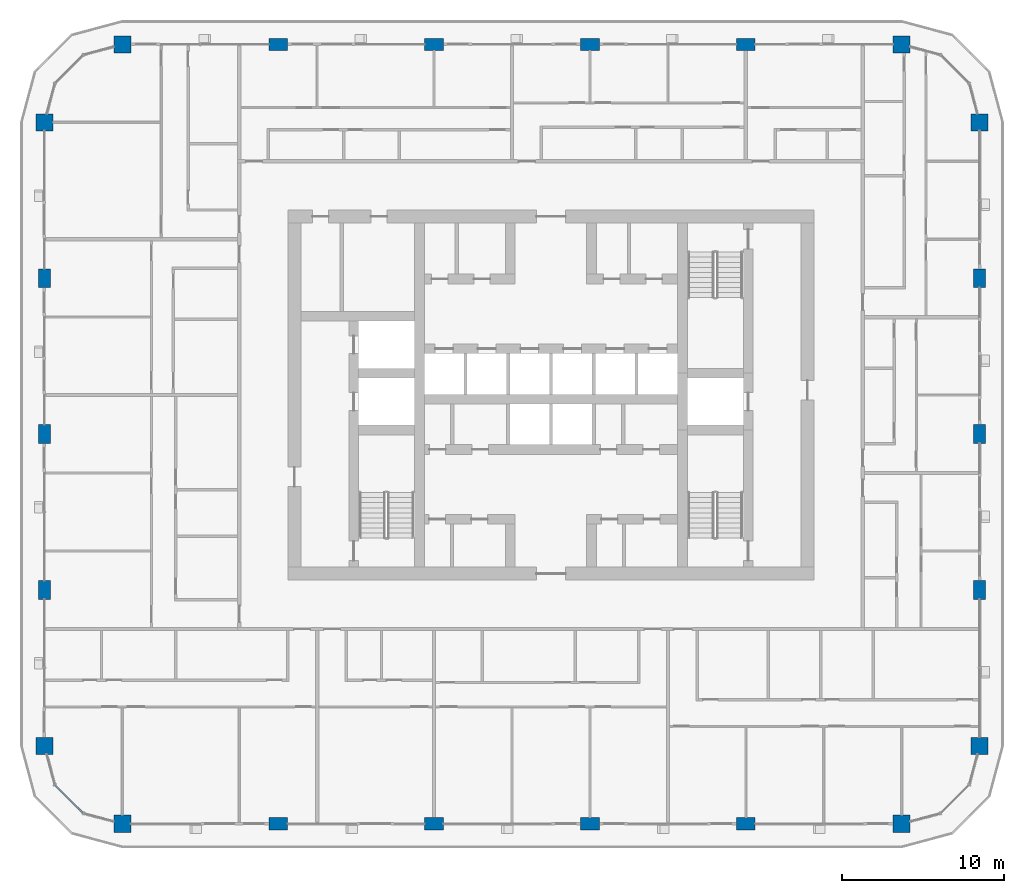
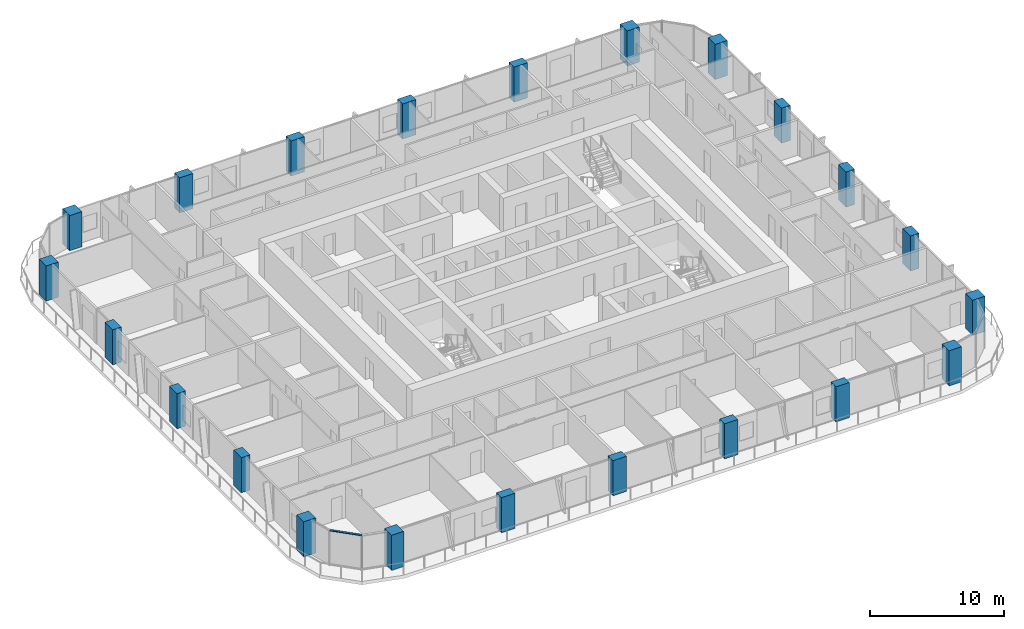
# One storey, part 1 of 22: 22 columns, 1 member, 1 element without a shape of its own.
"""IFC4 building model written with IfcOpenShell, lengths in metres."""

from ifc_helpers import new_model, si_unit, direction, frame, origin, origin_2d, place, context, subcontext, project, spatial, rectangle, extrude, material, layer, layer_set, material_profile, profile_set, type_object, element, aggregate, save


model = new_model("IFC4")

# Units and contexts
model_context = context("Model", 3, precision=1e-05, world=origin(), true_north=direction((0.0, 1.0)))
body_context = subcontext(model_context, "Body", "Model", "MODEL_VIEW")
ifc_project = project(units=[si_unit("LENGTHUNIT", "METRE"), si_unit("AREAUNIT", "SQUARE_METRE"), si_unit("VOLUMEUNIT", "CUBIC_METRE"), si_unit("PLANEANGLEUNIT", "RADIAN"), si_unit("MASSUNIT", "GRAM", prefix="KILO")], contexts=[model_context])

# Site, building, storey
site_placement = place(None, origin())
site = spatial("IfcSite", under=ifc_project, at=site_placement, CompositionType="ELEMENT")
building_placement = place(site_placement, origin())
building = spatial("IfcBuilding", under=site, at=building_placement, Name="Madar Terraces", CompositionType="ELEMENT")
storey_placement = place(building_placement, frame((0.0, 0.0, 166.5)))
storey = spatial("IfcBuildingStorey", under=building, at=storey_placement, Name="L43", CompositionType="ELEMENT", Elevation=166.5)

# Columns
ifc_material_1 = material(Name="Concrete C70/85", Category="concrete")
ifc_material_profile_1 = material_profile(ifc_material_1, rectangle(XDim=1.14990234375, YDim=0.75, at=origin_2d()), Name="CC3 RC 1150x750")
ifc_profile_set_1 = profile_set([ifc_material_profile_1], Name="Concrete C70/85")
column_type_1 = type_object("IfcColumnType", Name="CC3 RC 1150x750", PredefinedType="COLUMN", material=ifc_profile_set_1)
for number, where, z_axis, x_axis, name in (
    (1, (14.39990234375, 0.0, 0.0), (0.0, 0.0, 1.0), (1.0, 0.0, 0.0), "Perimeter column S2"),
    (2, (24.0, 0.0, 0.0), (0.0, 0.0, 1.0), (1.0, 0.0, 0.0), "Perimeter column S3"),
    (3, (33.60009765625, 0.0, 0.0), (0.0, 0.0, 1.0), (1.0, 0.0, 0.0), "Perimeter column S4"),
    (4, (43.199951171875, 0.0, 0.0), (0.0, 0.0, 1.0), (1.0, 0.0, 0.0), "Perimeter column S5"),
    (5, (57.60009765625, 14.39990234375, 0.0), (0.0, 0.0, 1.0), (0.0, 1.0, 0.0), "Perimeter column E2"),
    (6, (57.60009765625, 24.0, 0.0), (0.0, 0.0, 1.0), (0.0, 1.0, 0.0), "Perimeter column E3"),
    (7, (57.60009765625, 33.60009765625, 0.0), (0.0, 0.0, 1.0), (0.0, 1.0, 0.0), "Perimeter column E4"),
    (8, (43.199951171875, 48.0, 0.0), (0.0, 0.0, 1.0), (1.0, 0.0, 0.0), "Perimeter column N2"),
    (9, (33.60009765625, 48.0, 0.0), (0.0, 0.0, 1.0), (1.0, 0.0, 0.0), "Perimeter column N3"),
    (10, (24.0, 48.0, 0.0), (0.0, 0.0, 1.0), (1.0, 0.0, 0.0), "Perimeter column N4"),
    (11, (14.39990234375, 48.0, 0.0), (0.0, 0.0, 1.0), (1.0, 0.0, 0.0), "Perimeter column N5"),
    (12, (0.0, 33.60009765625, 0.0), (0.0, 0.0, 1.0), (0.0, 1.0, 0.0), "Perimeter column W2"),
    (13, (0.0, 24.0, 0.0), (0.0, 0.0, 1.0), (0.0, 1.0, 0.0), "Perimeter column W3"),
    (14, (0.0, 14.39990234375, 0.0), (0.0, 0.0, 1.0), (0.0, 1.0, 0.0), "Perimeter column W4"),
):
    element("IfcColumn", number, at=place(storey_placement, frame(where, z_axis=z_axis, x_axis=x_axis)), inside=storey, type_object=column_type_1, Name=name, PredefinedType="COLUMN", context=body_context, shape_type="SweptSolid", body=[
        extrude(rectangle(XDim=1.14990234375, YDim=0.75, at=origin_2d()), origin(), (0.0, 0.0, 1.0), 3.199951171875),
    ])
ifc_material_2 = material(Name="Concrete C70/85", Category="concrete")
ifc_material_profile_2 = material_profile(ifc_material_2, rectangle(XDim=1.050048828125, YDim=1.050048828125, at=origin_2d()), Name="KC3 RC 1050x1050")
ifc_profile_set_2 = profile_set([ifc_material_profile_2], Name="Concrete C70/85")
column_type_2 = type_object("IfcColumnType", Name="KC3 RC 1050x1050", PredefinedType="COLUMN", material=ifc_profile_set_2)
for number, where, z_axis, x_axis, name in (
    (15, (4.800048828125, 0.0, 0.0), (0.0, 0.0, 1.0), (1.0, 0.0, 0.0), "Perimeter column S1"),
    (16, (52.800048828125, 0.0, 0.0), (0.0, 0.0, 1.0), (1.0, 0.0, 0.0), "Perimeter column S6"),
    (17, (57.60009765625, 4.800048828125, 0.0), (0.0, 0.0, 1.0), (1.0, 0.0, 0.0), "Perimeter column E1"),
    (18, (57.60009765625, 43.199951171875, 0.0), (0.0, 0.0, 1.0), (1.0, 0.0, 0.0), "Perimeter column E5"),
    (19, (52.800048828125, 48.0, 0.0), (0.0, 0.0, 1.0), (1.0, 0.0, 0.0), "Perimeter column N1"),
    (20, (4.800048828125, 48.0, 0.0), (0.0, 0.0, 1.0), (1.0, 0.0, 0.0), "Perimeter column N6"),
    (21, (0.0, 43.199951171875, 0.0), (0.0, 0.0, 1.0), (1.0, 0.0, 0.0), "Perimeter column W1"),
    (22, (0.0, 4.800048828125, 0.0), (0.0, 0.0, 1.0), (1.0, 0.0, 0.0), "Perimeter column W5"),
):
    element("IfcColumn", number, at=place(storey_placement, frame(where, z_axis=z_axis, x_axis=x_axis)), inside=storey, type_object=column_type_2, Name=name, PredefinedType="COLUMN", context=body_context, shape_type="SweptSolid", body=[
        extrude(rectangle(XDim=1.050048828125, YDim=1.050048828125, at=origin_2d()), origin(), (0.0, 0.0, 1.0), 3.199951171875),
    ])

# Curtain wall, member
ifc_material_3 = material(Name="Glass, ceramic frit dark grey, with black aluminium frame", Category="aluminium")
ifc_layer = layer(ifc_material_3, 0.199951171875)
ifc_layer_set = layer_set([ifc_layer], Name="Facade curtain wall, fritted glass")
curtain_wall_type = type_object("IfcCurtainWallType", Name="Facade curtain wall, fritted glass", PredefinedType="NOTDEFINED", material=ifc_layer_set)
curtain_wall_placement = place(storey_placement, origin())
curtain_wall = element("IfcCurtainWall", 23, at=curtain_wall_placement, inside=storey, type_object=curtain_wall_type, Name="Outer skin curtain wall south-west corner", PredefinedType="NOTDEFINED")
ifc_material_4 = material(Name="Aluminium, black anodised", Category="aluminium")
ifc_material_profile_3 = material_profile(ifc_material_4, rectangle(XDim=0.1201171875, YDim=0.06005859375, at=origin_2d()), Name="Facade transom 60x120")
ifc_profile_set_3 = profile_set([ifc_material_profile_3], Name="Aluminium, black anodised")
member_type = type_object("IfcMemberType", Name="Facade transom 60x120", PredefinedType="USERDEFINED", material=ifc_profile_set_3)
member_placement = place(storey_placement, frame((0.664306640625, 2.37890625, 3.169921875), z_axis=(0.707106781187, -0.707106781187, 0.0), x_axis=(0.707106781187, 0.707106781187, 0.0)))
member = element("IfcMember", 24, at=member_placement, type_object=member_type, Name="Transom 2", ObjectType="TRANSOM", PredefinedType="USERDEFINED", context=body_context, shape_type="SweptSolid", body=[
    extrude(rectangle(XDim=0.1201171875, YDim=0.06005859375, at=origin_2d()), origin(), (0.0, 0.0, 1.0), 2.4248046875),
])
aggregate(curtain_wall, [member])

save(model, "model.ifc")
